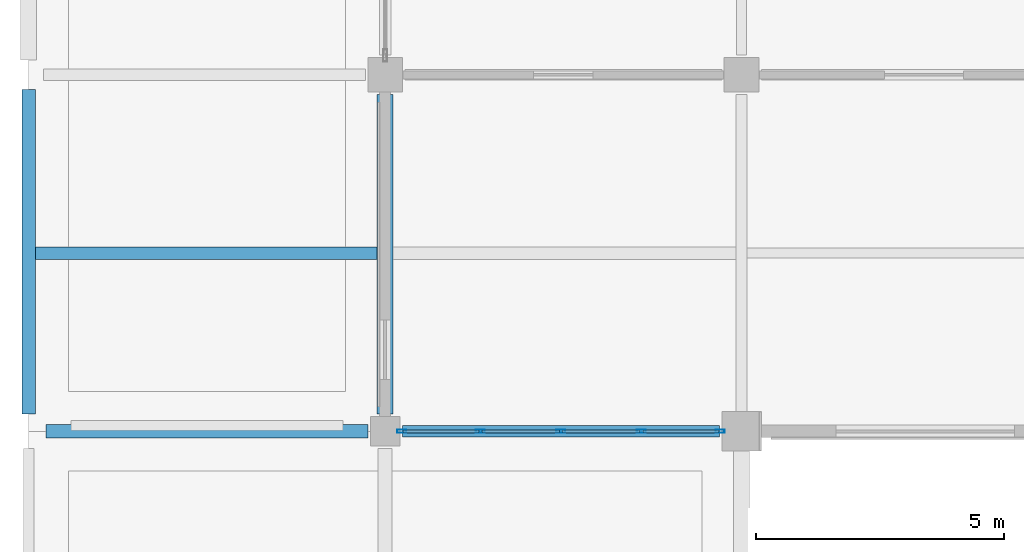
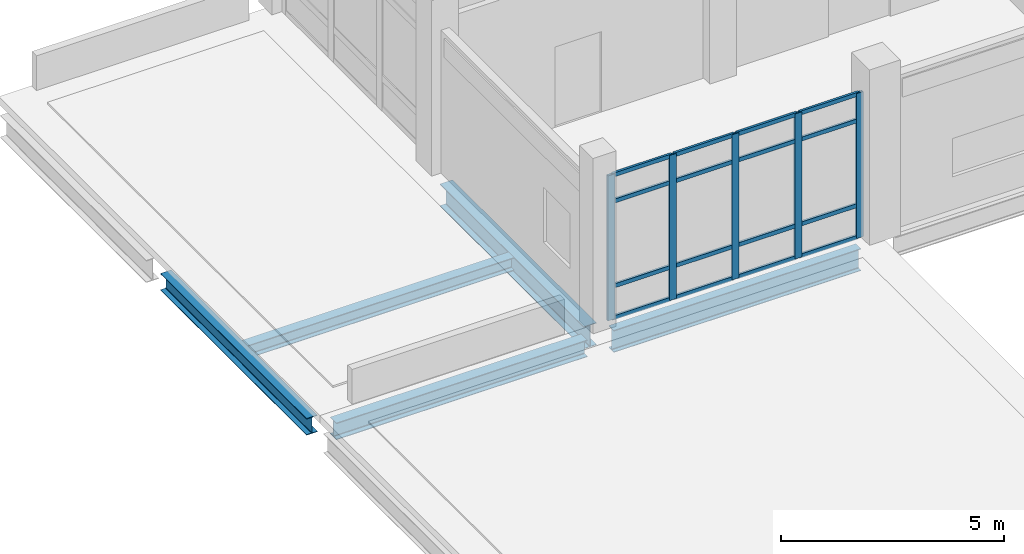
# One storey, part 81 of 186: 21 members, 5 beams, 1 element without a shape of its own.
"""IFC4 building model written with IfcOpenShell, lengths in metres."""

from ifc_helpers import new_model, si_unit, direction, frame, origin, origin_2d, place, context, subcontext, project, spatial, hollow_rectangle, i_section, extrude, material, layer, layer_set, material_profile, profile_set, type_object, element, aggregate, save


model = new_model("IFC4")

# Units and contexts
model_context = context("Model", 3, precision=1e-05, world=origin(), true_north=direction((0.0, 1.0)))
body_context = subcontext(model_context, "Body", "Model", "MODEL_VIEW")
ifc_project = project(units=[si_unit("LENGTHUNIT", "METRE"), si_unit("AREAUNIT", "SQUARE_METRE"), si_unit("VOLUMEUNIT", "CUBIC_METRE"), si_unit("PLANEANGLEUNIT", "RADIAN"), si_unit("MASSUNIT", "GRAM", prefix="KILO")], contexts=[model_context])

# Site, building, storey
site_placement = place(None, origin())
site = spatial("IfcSite", under=ifc_project, at=site_placement, CompositionType="ELEMENT")
building_placement = place(site_placement, origin())
building = spatial("IfcBuilding", under=site, at=building_placement, Name="Calvrana Isthmian Art Gallery", CompositionType="ELEMENT")
storey_placement = place(building_placement, frame((0.0, 0.0, 5.39990234375)))
storey = spatial("IfcBuildingStorey", under=building, at=storey_placement, Name="L01", CompositionType="ELEMENT", Elevation=5.39990234375)

# Beams
ifc_material_1 = material(Name="Steel ASTM A992 Gr 50", Category="steel")
ifc_material_profile_1 = material_profile(ifc_material_1, i_section(OverallWidth=0.279052734375, OverallDepth=0.4619140625, WebThickness=0.0107421875, FlangeThickness=0.017333984375, FilletRadius=0.02001953125, at=origin_2d()), Name="W18X76")
ifc_profile_set_1 = profile_set([ifc_material_profile_1], Name="Steel ASTM A992 Gr 50")
beam_type_1 = type_object("IfcBeamType", Name="BM-G-W18X76", PredefinedType="BEAM", material=ifc_profile_set_1)
beam_1_placement = place(storey_placement, frame((0.35009765625, 98.39990234375, -0.475830078125), z_axis=(1.0, 0.0, 0.0), x_axis=(0.0, 1.0, 0.0)))
element("IfcBeam", 1, at=beam_1_placement, inside=storey, type_object=beam_type_1, Name="Girder X L01 01-02/N", PredefinedType="BEAM", context=body_context, shape_type="SweptSolid", body=[
    extrude(i_section(OverallWidth=0.279052734375, OverallDepth=0.4619140625, WebThickness=0.0107421875, FlangeThickness=0.017333984375, FilletRadius=0.02001953125, at=origin_2d()), origin(), (0.0, 0.0, 1.0), 6.5),
])
beam_2_placement = place(storey_placement, frame((0.0, 98.75, -0.475830078125), z_axis=(0.0, 1.0, 0.0), x_axis=(-1.0, 0.0, 0.0)))
element("IfcBeam", 2, at=beam_2_placement, inside=storey, type_object=beam_type_1, Name="Girder Y L01 01/N-O", PredefinedType="BEAM", context=body_context, shape_type="SweptSolid", body=[
    extrude(i_section(OverallWidth=0.279052734375, OverallDepth=0.4619140625, WebThickness=0.0107421875, FlangeThickness=0.017333984375, FilletRadius=0.02001953125, at=origin_2d()), origin(), (0.0, 0.0, 1.0), 6.550048828125),
])
ifc_material_profile_2 = material_profile(ifc_material_1, i_section(OverallWidth=0.324951171875, OverallDepth=0.612060546875, WebThickness=0.0126953125, FlangeThickness=0.01904296875, FilletRadius=0.02197265625, at=origin_2d()), Name="W24X104")
ifc_profile_set_2 = profile_set([ifc_material_profile_2], Name="Steel ASTM A992 Gr 50")
beam_type_2 = type_object("IfcBeamType", Name="BM-G-W24X104", PredefinedType="BEAM", material=ifc_profile_set_2)
beam_3_placement = place(storey_placement, frame((7.199951171875, 98.75, -0.55078125), z_axis=(0.0, 1.0, 0.0), x_axis=(-1.0, 0.0, 0.0)))
element("IfcBeam", 3, at=beam_3_placement, inside=storey, type_object=beam_type_2, Name="Girder Y L01 02/N-O", PredefinedType="BEAM", context=body_context, shape_type="SweptSolid", body=[
    extrude(i_section(OverallWidth=0.324951171875, OverallDepth=0.612060546875, WebThickness=0.0126953125, FlangeThickness=0.01904296875, FilletRadius=0.02197265625, at=origin_2d()), origin(), (0.0, 0.0, 1.0), 6.449951171875),
])
ifc_material_profile_3 = material_profile(ifc_material_1, i_section(OverallWidth=0.22802734375, OverallDepth=0.60693359375, WebThickness=0.01123046875, FlangeThickness=0.017333984375, FilletRadius=0.02197265625, at=origin_2d()), Name="W24X76")
ifc_profile_set_3 = profile_set([ifc_material_profile_3], Name="Steel ASTM A992 Gr 50")
beam_type_3 = type_object("IfcBeamType", Name="BM-G-W24X76", PredefinedType="BEAM", material=ifc_profile_set_3)
beam_4_placement = place(storey_placement, frame((7.550048828125, 98.39990234375, -0.54833984375), z_axis=(1.0, 0.0, 0.0), x_axis=(0.0, 1.0, 0.0)))
element("IfcBeam", 4, at=beam_4_placement, inside=storey, type_object=beam_type_3, Name="Girder X L01 02-03/N", PredefinedType="BEAM", context=body_context, shape_type="SweptSolid", body=[
    extrude(i_section(OverallWidth=0.22802734375, OverallDepth=0.60693359375, WebThickness=0.01123046875, FlangeThickness=0.017333984375, FilletRadius=0.02197265625, at=origin_2d()), origin(), (0.0, 0.0, 1.0), 6.39990234375),
])
ifc_material_profile_4 = material_profile(ifc_material_1, i_section(OverallWidth=0.25390625, OverallDepth=0.35302734375, WebThickness=0.009521484375, FlangeThickness=0.016357421875, FilletRadius=0.01806640625, at=origin_2d()), Name="W14X61")
ifc_profile_set_4 = profile_set([ifc_material_profile_4], Name="Steel ASTM A992 Gr 50")
beam_type_4 = type_object("IfcBeamType", Name="BM-J-W14X61", PredefinedType="JOIST", material=ifc_profile_set_4)
beam_5_placement = place(storey_placement, frame((0.139404296875, 102.0, -0.42138671875), z_axis=(1.0, 0.0, 0.0), x_axis=(0.0, 1.0, 0.0)))
element("IfcBeam", 5, at=beam_5_placement, inside=storey, type_object=beam_type_4, Name="Composite joist L01 bay 00-13", PredefinedType="JOIST", context=body_context, shape_type="SweptSolid", body=[
    extrude(i_section(OverallWidth=0.25390625, OverallDepth=0.35302734375, WebThickness=0.009521484375, FlangeThickness=0.016357421875, FilletRadius=0.01806640625, at=origin_2d()), origin(), (0.0, 0.0, 1.0), 6.898193359375),
])

# Curtain wall, members
ifc_material_2 = material(Name="Anodized bronze aluminium 6063-T6", Category="aluminium")
ifc_layer = layer(ifc_material_2, 0.179931640625, Name="Anodized bronze aluminium 6063-T6")
ifc_layer_set = layer_set([ifc_layer], Name="Anodized bronze aluminium 6063-T6")
curtain_wall_type = type_object("IfcCurtainWallType", Name="CW-STICK-065X40", PredefinedType="NOTDEFINED", material=ifc_layer_set)
curtain_wall_placement = place(storey_placement, origin())
curtain_wall = element("IfcCurtainWall", 6, at=curtain_wall_placement, inside=storey, type_object=curtain_wall_type, Name="Curtain wall CW-110", PredefinedType="NOTDEFINED")
ifc_material_profile_5 = material_profile(ifc_material_2, hollow_rectangle(XDim=0.06494140625, YDim=0.179931640625, WallThickness=0.00439453125, at=origin_2d()), Name="CWM65X180")
ifc_profile_set_5 = profile_set([ifc_material_profile_5], Name="Anodized bronze aluminium 6063-T6")
member_type_1 = type_object("IfcMemberType", Name="CWM-CWM65X180", PredefinedType="MULLION", material=ifc_profile_set_5)
member_1_placement = place(storey_placement, frame((13.967529296875, 98.39990234375, 0.0), z_axis=(0.0, 0.0, 1.0), x_axis=(0.0, -1.0, 0.0)))
member_1 = element("IfcMember", 7, at=member_1_placement, type_object=member_type_1, Name="CW-110 mullion 1", PredefinedType="MULLION", context=body_context, shape_type="SweptSolid", body=[
    extrude(hollow_rectangle(XDim=0.06494140625, YDim=0.179931640625, WallThickness=0.00439453125, at=origin_2d()), origin(), (0.0, 0.0, 1.0), 3.97119140625),
])
member_2_placement = place(storey_placement, frame((12.375, 98.39990234375, 0.0), z_axis=(0.0, 0.0, 1.0), x_axis=(0.0, -1.0, 0.0)))
member_2 = element("IfcMember", 8, at=member_2_placement, type_object=member_type_1, Name="CW-110 mullion 2", PredefinedType="MULLION", context=body_context, shape_type="SweptSolid", body=[
    extrude(hollow_rectangle(XDim=0.06494140625, YDim=0.179931640625, WallThickness=0.00439453125, at=origin_2d()), origin(), (0.0, 0.0, 1.0), 3.97119140625),
])
member_3_placement = place(storey_placement, frame((10.75, 98.39990234375, 0.0), z_axis=(0.0, 0.0, 1.0), x_axis=(0.0, -1.0, 0.0)))
member_3 = element("IfcMember", 9, at=member_3_placement, type_object=member_type_1, Name="CW-110 mullion 3", PredefinedType="MULLION", context=body_context, shape_type="SweptSolid", body=[
    extrude(hollow_rectangle(XDim=0.06494140625, YDim=0.179931640625, WallThickness=0.00439453125, at=origin_2d()), origin(), (0.0, 0.0, 1.0), 3.97119140625),
])
member_4_placement = place(storey_placement, frame((9.125, 98.39990234375, 0.0), z_axis=(0.0, 0.0, 1.0), x_axis=(0.0, -1.0, 0.0)))
member_4 = element("IfcMember", 10, at=member_4_placement, type_object=member_type_1, Name="CW-110 mullion 4", PredefinedType="MULLION", context=body_context, shape_type="SweptSolid", body=[
    extrude(hollow_rectangle(XDim=0.06494140625, YDim=0.179931640625, WallThickness=0.00439453125, at=origin_2d()), origin(), (0.0, 0.0, 1.0), 3.97119140625),
])
member_5_placement = place(storey_placement, frame((7.532470703125, 98.39990234375, 0.0), z_axis=(0.0, 0.0, 1.0), x_axis=(0.0, -1.0, 0.0)))
member_5 = element("IfcMember", 11, at=member_5_placement, type_object=member_type_1, Name="CW-110 mullion 5", PredefinedType="MULLION", context=body_context, shape_type="SweptSolid", body=[
    extrude(hollow_rectangle(XDim=0.06494140625, YDim=0.179931640625, WallThickness=0.00439453125, at=origin_2d()), origin(), (0.0, 0.0, 1.0), 3.97119140625),
])
ifc_material_profile_6 = material_profile(ifc_material_2, hollow_rectangle(XDim=0.06005859375, YDim=0.110107421875, WallThickness=0.00341796875, at=origin_2d()), Name="CWT60X110")
ifc_profile_set_6 = profile_set([ifc_material_profile_6], Name="Anodized bronze aluminium 6063-T6")
member_type_2 = type_object("IfcMemberType", Name="CWT-CWT60X110", PredefinedType="USERDEFINED", material=ifc_profile_set_6)
member_6_placement = place(storey_placement, frame((13.93505859375, 98.39990234375, 0.030029296875), z_axis=(-1.0, 0.0, 0.0), x_axis=(0.0, -1.0, 0.0)))
member_6 = element("IfcMember", 12, at=member_6_placement, type_object=member_type_2, Name="CW-110 transom 1.1", ObjectType="TRANSOM", PredefinedType="USERDEFINED", context=body_context, shape_type="SweptSolid", body=[
    extrude(hollow_rectangle(XDim=0.06005859375, YDim=0.110107421875, WallThickness=0.00341796875, at=origin_2d()), origin(), (0.0, 0.0, 1.0), 1.527587890625),
])
member_7_placement = place(storey_placement, frame((13.93505859375, 98.39990234375, 0.900146484375), z_axis=(-1.0, 0.0, 0.0), x_axis=(0.0, -1.0, 0.0)))
member_7 = element("IfcMember", 13, at=member_7_placement, type_object=member_type_2, Name="CW-110 transom 1.2", ObjectType="TRANSOM", PredefinedType="USERDEFINED", context=body_context, shape_type="SweptSolid", body=[
    extrude(hollow_rectangle(XDim=0.06005859375, YDim=0.110107421875, WallThickness=0.00341796875, at=origin_2d()), origin(), (0.0, 0.0, 1.0), 1.527587890625),
])
member_8_placement = place(storey_placement, frame((13.93505859375, 98.39990234375, 3.22119140625), z_axis=(-1.0, 0.0, 0.0), x_axis=(0.0, -1.0, 0.0)))
member_8 = element("IfcMember", 14, at=member_8_placement, type_object=member_type_2, Name="CW-110 transom 1.3", ObjectType="TRANSOM", PredefinedType="USERDEFINED", context=body_context, shape_type="SweptSolid", body=[
    extrude(hollow_rectangle(XDim=0.06005859375, YDim=0.110107421875, WallThickness=0.00341796875, at=origin_2d()), origin(), (0.0, 0.0, 1.0), 1.527587890625),
])
member_9_placement = place(storey_placement, frame((13.93505859375, 98.39990234375, 3.941162109375), z_axis=(-1.0, 0.0, 0.0), x_axis=(0.0, -1.0, 0.0)))
member_9 = element("IfcMember", 15, at=member_9_placement, type_object=member_type_2, Name="CW-110 transom 1.4", ObjectType="TRANSOM", PredefinedType="USERDEFINED", context=body_context, shape_type="SweptSolid", body=[
    extrude(hollow_rectangle(XDim=0.06005859375, YDim=0.110107421875, WallThickness=0.00341796875, at=origin_2d()), origin(), (0.0, 0.0, 1.0), 1.527587890625),
])
member_10_placement = place(storey_placement, frame((12.342529296875, 98.39990234375, 0.030029296875), z_axis=(-1.0, 0.0, 0.0), x_axis=(0.0, -1.0, 0.0)))
member_10 = element("IfcMember", 16, at=member_10_placement, type_object=member_type_2, Name="CW-110 transom 2.1", ObjectType="TRANSOM", PredefinedType="USERDEFINED", context=body_context, shape_type="SweptSolid", body=[
    extrude(hollow_rectangle(XDim=0.06005859375, YDim=0.110107421875, WallThickness=0.00341796875, at=origin_2d()), origin(), (0.0, 0.0, 1.0), 1.56005859375),
])
member_11_placement = place(storey_placement, frame((12.342529296875, 98.39990234375, 0.900146484375), z_axis=(-1.0, 0.0, 0.0), x_axis=(0.0, -1.0, 0.0)))
member_11 = element("IfcMember", 17, at=member_11_placement, type_object=member_type_2, Name="CW-110 transom 2.2", ObjectType="TRANSOM", PredefinedType="USERDEFINED", context=body_context, shape_type="SweptSolid", body=[
    extrude(hollow_rectangle(XDim=0.06005859375, YDim=0.110107421875, WallThickness=0.00341796875, at=origin_2d()), origin(), (0.0, 0.0, 1.0), 1.56005859375),
])
member_12_placement = place(storey_placement, frame((12.342529296875, 98.39990234375, 3.22119140625), z_axis=(-1.0, 0.0, 0.0), x_axis=(0.0, -1.0, 0.0)))
member_12 = element("IfcMember", 18, at=member_12_placement, type_object=member_type_2, Name="CW-110 transom 2.3", ObjectType="TRANSOM", PredefinedType="USERDEFINED", context=body_context, shape_type="SweptSolid", body=[
    extrude(hollow_rectangle(XDim=0.06005859375, YDim=0.110107421875, WallThickness=0.00341796875, at=origin_2d()), origin(), (0.0, 0.0, 1.0), 1.56005859375),
])
member_13_placement = place(storey_placement, frame((12.342529296875, 98.39990234375, 3.941162109375), z_axis=(-1.0, 0.0, 0.0), x_axis=(0.0, -1.0, 0.0)))
member_13 = element("IfcMember", 19, at=member_13_placement, type_object=member_type_2, Name="CW-110 transom 2.4", ObjectType="TRANSOM", PredefinedType="USERDEFINED", context=body_context, shape_type="SweptSolid", body=[
    extrude(hollow_rectangle(XDim=0.06005859375, YDim=0.110107421875, WallThickness=0.00341796875, at=origin_2d()), origin(), (0.0, 0.0, 1.0), 1.56005859375),
])
member_14_placement = place(storey_placement, frame((10.717529296875, 98.39990234375, 0.030029296875), z_axis=(-1.0, 0.0, 0.0), x_axis=(0.0, -1.0, 0.0)))
member_14 = element("IfcMember", 20, at=member_14_placement, type_object=member_type_2, Name="CW-110 transom 3.1", ObjectType="TRANSOM", PredefinedType="USERDEFINED", context=body_context, shape_type="SweptSolid", body=[
    extrude(hollow_rectangle(XDim=0.06005859375, YDim=0.110107421875, WallThickness=0.00341796875, at=origin_2d()), origin(), (0.0, 0.0, 1.0), 1.56005859375),
])
member_15_placement = place(storey_placement, frame((10.717529296875, 98.39990234375, 0.900146484375), z_axis=(-1.0, 0.0, 0.0), x_axis=(0.0, -1.0, 0.0)))
member_15 = element("IfcMember", 21, at=member_15_placement, type_object=member_type_2, Name="CW-110 transom 3.2", ObjectType="TRANSOM", PredefinedType="USERDEFINED", context=body_context, shape_type="SweptSolid", body=[
    extrude(hollow_rectangle(XDim=0.06005859375, YDim=0.110107421875, WallThickness=0.00341796875, at=origin_2d()), origin(), (0.0, 0.0, 1.0), 1.56005859375),
])
member_16_placement = place(storey_placement, frame((10.717529296875, 98.39990234375, 3.22119140625), z_axis=(-1.0, 0.0, 0.0), x_axis=(0.0, -1.0, 0.0)))
member_16 = element("IfcMember", 22, at=member_16_placement, type_object=member_type_2, Name="CW-110 transom 3.3", ObjectType="TRANSOM", PredefinedType="USERDEFINED", context=body_context, shape_type="SweptSolid", body=[
    extrude(hollow_rectangle(XDim=0.06005859375, YDim=0.110107421875, WallThickness=0.00341796875, at=origin_2d()), origin(), (0.0, 0.0, 1.0), 1.56005859375),
])
member_17_placement = place(storey_placement, frame((10.717529296875, 98.39990234375, 3.941162109375), z_axis=(-1.0, 0.0, 0.0), x_axis=(0.0, -1.0, 0.0)))
member_17 = element("IfcMember", 23, at=member_17_placement, type_object=member_type_2, Name="CW-110 transom 3.4", ObjectType="TRANSOM", PredefinedType="USERDEFINED", context=body_context, shape_type="SweptSolid", body=[
    extrude(hollow_rectangle(XDim=0.06005859375, YDim=0.110107421875, WallThickness=0.00341796875, at=origin_2d()), origin(), (0.0, 0.0, 1.0), 1.56005859375),
])
member_18_placement = place(storey_placement, frame((9.092529296875, 98.39990234375, 0.030029296875), z_axis=(-1.0, 0.0, 0.0), x_axis=(0.0, -1.0, 0.0)))
member_18 = element("IfcMember", 24, at=member_18_placement, type_object=member_type_2, Name="CW-110 transom 4.1", ObjectType="TRANSOM", PredefinedType="USERDEFINED", context=body_context, shape_type="SweptSolid", body=[
    extrude(hollow_rectangle(XDim=0.06005859375, YDim=0.110107421875, WallThickness=0.00341796875, at=origin_2d()), origin(), (0.0, 0.0, 1.0), 1.527587890625),
])
member_19_placement = place(storey_placement, frame((9.092529296875, 98.39990234375, 0.900146484375), z_axis=(-1.0, 0.0, 0.0), x_axis=(0.0, -1.0, 0.0)))
member_19 = element("IfcMember", 25, at=member_19_placement, type_object=member_type_2, Name="CW-110 transom 4.2", ObjectType="TRANSOM", PredefinedType="USERDEFINED", context=body_context, shape_type="SweptSolid", body=[
    extrude(hollow_rectangle(XDim=0.06005859375, YDim=0.110107421875, WallThickness=0.00341796875, at=origin_2d()), origin(), (0.0, 0.0, 1.0), 1.527587890625),
])
member_20_placement = place(storey_placement, frame((9.092529296875, 98.39990234375, 3.22119140625), z_axis=(-1.0, 0.0, 0.0), x_axis=(0.0, -1.0, 0.0)))
member_20 = element("IfcMember", 26, at=member_20_placement, type_object=member_type_2, Name="CW-110 transom 4.3", ObjectType="TRANSOM", PredefinedType="USERDEFINED", context=body_context, shape_type="SweptSolid", body=[
    extrude(hollow_rectangle(XDim=0.06005859375, YDim=0.110107421875, WallThickness=0.00341796875, at=origin_2d()), origin(), (0.0, 0.0, 1.0), 1.527587890625),
])
member_21_placement = place(storey_placement, frame((9.092529296875, 98.39990234375, 3.941162109375), z_axis=(-1.0, 0.0, 0.0), x_axis=(0.0, -1.0, 0.0)))
member_21 = element("IfcMember", 27, at=member_21_placement, type_object=member_type_2, Name="CW-110 transom 4.4", ObjectType="TRANSOM", PredefinedType="USERDEFINED", context=body_context, shape_type="SweptSolid", body=[
    extrude(hollow_rectangle(XDim=0.06005859375, YDim=0.110107421875, WallThickness=0.00341796875, at=origin_2d()), origin(), (0.0, 0.0, 1.0), 1.527587890625),
])
aggregate(curtain_wall, [member_1, member_2, member_3, member_4, member_5, member_6, member_7, member_8, member_9, member_10, member_11, member_12, member_13, member_14, member_15, member_16, member_17, member_18, member_19, member_20, member_21])

save(model, "model.ifc")
